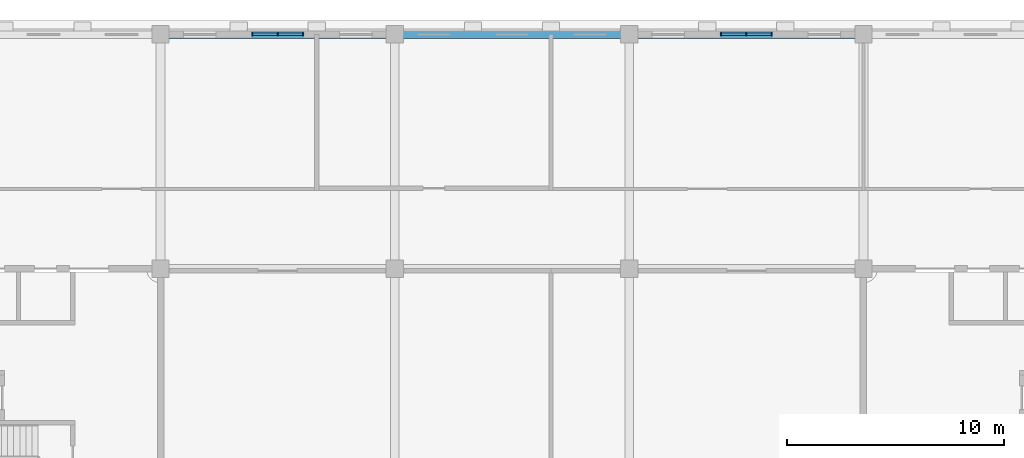
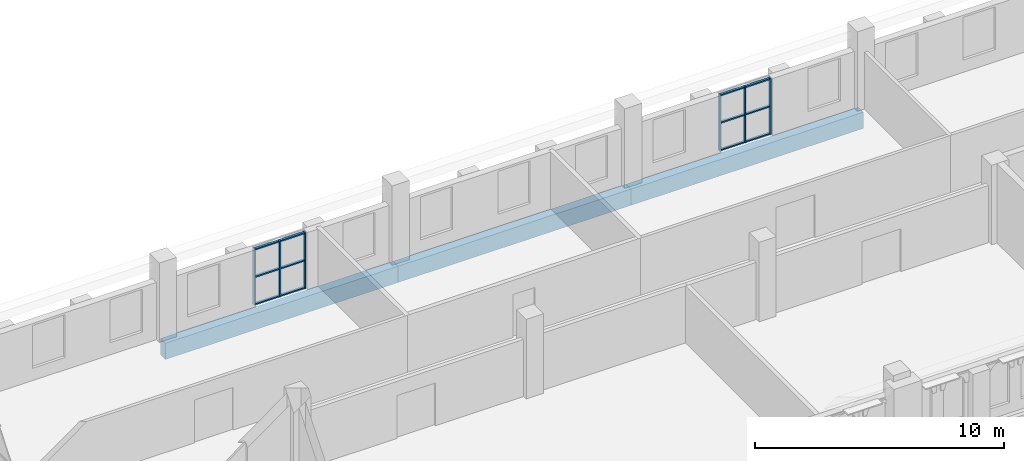
# One storey, part 24 of 56: 18 members, 3 beams, 2 elements without a shape of their own.
"""IFC4 building model written with IfcOpenShell, lengths in metres."""

from ifc_helpers import new_model, si_unit, direction, frame, origin, origin_2d, place, context, subcontext, project, spatial, rectangle, extrude, material, layer, layer_set, material_profile, profile_set, type_object, element, aggregate, save


model = new_model("IFC4")

# Units and contexts
model_context = context("Model", 3, precision=1e-05, world=origin(), true_north=direction((0.0, 1.0)))
body_context = subcontext(model_context, "Body", "Model", "MODEL_VIEW")
ifc_project = project(units=[si_unit("LENGTHUNIT", "METRE"), si_unit("AREAUNIT", "SQUARE_METRE"), si_unit("VOLUMEUNIT", "CUBIC_METRE"), si_unit("PLANEANGLEUNIT", "RADIAN"), si_unit("MASSUNIT", "GRAM", prefix="KILO")], contexts=[model_context])

# Site, building, storey
site_placement = place(None, origin())
site = spatial("IfcSite", under=ifc_project, at=site_placement, CompositionType="ELEMENT")
building_placement = place(site_placement, origin())
building = spatial("IfcBuilding", under=site, at=building_placement, Name="Magnolia Steps Interchange", CompositionType="ELEMENT")
storey_placement = place(building_placement, frame((0.0, 0.0, 8.699951171875)))
storey = spatial("IfcBuildingStorey", under=building, at=storey_placement, Name="L02", CompositionType="ELEMENT", Elevation=8.699951171875)

# Curtain wall, members
ifc_material_1 = material(Name="Powder-coated aluminium and glass", Category="aluminium")
ifc_layer = layer(ifc_material_1, 0.199951171875)
ifc_layer_set = layer_set([ifc_layer], Name="Glazed central bay curtain wall")
curtain_wall_type = type_object("IfcCurtainWallType", Name="Glazed central bay curtain wall", PredefinedType="NOTDEFINED", material=ifc_layer_set)
curtain_wall_1_placement = place(storey_placement, origin())
curtain_wall_1 = element("IfcCurtainWall", 1, at=curtain_wall_1_placement, inside=storey, type_object=curtain_wall_type, Name="Operations building north wall L02 glazing 2", PredefinedType="NOTDEFINED")
ifc_material_2 = material(Name="White powder-coated aluminium", Category="aluminium")
ifc_material_profile_1 = material_profile(ifc_material_2, rectangle(XDim=0.06005859375, YDim=0.14990234375, at=origin_2d()), Name="Aluminium mullion 60 x 150")
ifc_profile_set_1 = profile_set([ifc_material_profile_1], Name="White powder-coated aluminium")
member_type_1 = type_object("IfcMemberType", Name="Aluminium mullion 60 x 150", PredefinedType="MULLION", material=ifc_profile_set_1)
member_1_placement = place(storey_placement, frame((79.030029296875, 118.0, 0.0), z_axis=(0.0, 0.0, 1.0), x_axis=(1.0, 0.0, 0.0)))
member_1 = element("IfcMember", 2, at=member_1_placement, type_object=member_type_1, Name="CW2 mullion 1", PredefinedType="MULLION", context=body_context, shape_type="SweptSolid", body=[
    extrude(rectangle(XDim=0.06005859375, YDim=0.14990234375, at=origin_2d()), origin(), (0.0, 0.0, 1.0), 2.75),
])
member_2_placement = place(storey_placement, frame((80.199951171875, 118.0, 0.0), z_axis=(0.0, 0.0, 1.0), x_axis=(1.0, 0.0, 0.0)))
member_2 = element("IfcMember", 3, at=member_2_placement, type_object=member_type_1, Name="CW2 mullion 2", PredefinedType="MULLION", context=body_context, shape_type="SweptSolid", body=[
    extrude(rectangle(XDim=0.06005859375, YDim=0.14990234375, at=origin_2d()), origin(), (0.0, 0.0, 1.0), 2.75),
])
member_3_placement = place(storey_placement, frame((81.3701171875, 118.0, 0.0), z_axis=(0.0, 0.0, 1.0), x_axis=(1.0, 0.0, 0.0)))
member_3 = element("IfcMember", 4, at=member_3_placement, type_object=member_type_1, Name="CW2 mullion 3", PredefinedType="MULLION", context=body_context, shape_type="SweptSolid", body=[
    extrude(rectangle(XDim=0.06005859375, YDim=0.14990234375, at=origin_2d()), origin(), (0.0, 0.0, 1.0), 2.75),
])

curtain_wall_2_placement = place(storey_placement, origin())
curtain_wall_2 = element("IfcCurtainWall", 5, at=curtain_wall_2_placement, inside=storey, type_object=curtain_wall_type, Name="Operations building north wall L02 glazing 4", PredefinedType="NOTDEFINED")
member_4_placement = place(storey_placement, frame((100.6298828125, 118.0, 0.0), z_axis=(0.0, 0.0, 1.0), x_axis=(1.0, 0.0, 0.0)))
member_4 = element("IfcMember", 6, at=member_4_placement, type_object=member_type_1, Name="CW2 mullion 1", PredefinedType="MULLION", context=body_context, shape_type="SweptSolid", body=[
    extrude(rectangle(XDim=0.06005859375, YDim=0.14990234375, at=origin_2d()), origin(), (0.0, 0.0, 1.0), 2.75),
])
member_5_placement = place(storey_placement, frame((101.800048828125, 118.0, 0.0), z_axis=(0.0, 0.0, 1.0), x_axis=(1.0, 0.0, 0.0)))
member_5 = element("IfcMember", 7, at=member_5_placement, type_object=member_type_1, Name="CW2 mullion 2", PredefinedType="MULLION", context=body_context, shape_type="SweptSolid", body=[
    extrude(rectangle(XDim=0.06005859375, YDim=0.14990234375, at=origin_2d()), origin(), (0.0, 0.0, 1.0), 2.75),
])
member_6_placement = place(storey_placement, frame((102.969970703125, 118.0, 0.0), z_axis=(0.0, 0.0, 1.0), x_axis=(1.0, 0.0, 0.0)))
member_6 = element("IfcMember", 8, at=member_6_placement, type_object=member_type_1, Name="CW2 mullion 3", PredefinedType="MULLION", context=body_context, shape_type="SweptSolid", body=[
    extrude(rectangle(XDim=0.06005859375, YDim=0.14990234375, at=origin_2d()), origin(), (0.0, 0.0, 1.0), 2.75),
])

# Member
ifc_material_3 = material(Name="White powder-coated aluminium", Category="aluminium")
ifc_material_profile_2 = material_profile(ifc_material_3, rectangle(XDim=0.06005859375, YDim=0.1201171875, at=origin_2d()), Name="Aluminium transom 60 x 120")
ifc_profile_set_2 = profile_set([ifc_material_profile_2], Name="White powder-coated aluminium")
member_type_2 = type_object("IfcMemberType", Name="Aluminium transom 60 x 120", PredefinedType="USERDEFINED", material=ifc_profile_set_2)
member_7_placement = place(storey_placement, frame((79.06005859375, 118.0, 0.030029296875), z_axis=(1.0, 0.0, 0.0), x_axis=(0.0, 0.0, 1.0)))
member_7 = element("IfcMember", 9, at=member_7_placement, type_object=member_type_2, Name="CW2 transom 1.1", ObjectType="TRANSOM", PredefinedType="USERDEFINED", context=body_context, shape_type="SweptSolid", body=[
    extrude(rectangle(XDim=0.06005859375, YDim=0.1201171875, at=origin_2d()), origin(), (0.0, 0.0, 1.0), 1.10986328125),
])

member_8_placement = place(storey_placement, frame((79.06005859375, 118.0, 1.375), z_axis=(1.0, 0.0, 0.0), x_axis=(0.0, 0.0, 1.0)))
member_8 = element("IfcMember", 10, at=member_8_placement, type_object=member_type_2, Name="CW2 transom 1.2", ObjectType="TRANSOM", PredefinedType="USERDEFINED", context=body_context, shape_type="SweptSolid", body=[
    extrude(rectangle(XDim=0.06005859375, YDim=0.1201171875, at=origin_2d()), origin(), (0.0, 0.0, 1.0), 1.10986328125),
])

member_9_placement = place(storey_placement, frame((79.06005859375, 118.0, 2.719970703125), z_axis=(1.0, 0.0, 0.0), x_axis=(0.0, 0.0, 1.0)))
member_9 = element("IfcMember", 11, at=member_9_placement, type_object=member_type_2, Name="CW2 transom 1.3", ObjectType="TRANSOM", PredefinedType="USERDEFINED", context=body_context, shape_type="SweptSolid", body=[
    extrude(rectangle(XDim=0.06005859375, YDim=0.1201171875, at=origin_2d()), origin(), (0.0, 0.0, 1.0), 1.10986328125),
])

member_10_placement = place(storey_placement, frame((80.22998046875, 118.0, 0.030029296875), z_axis=(1.0, 0.0, 0.0), x_axis=(0.0, 0.0, 1.0)))
member_10 = element("IfcMember", 12, at=member_10_placement, type_object=member_type_2, Name="CW2 transom 2.1", ObjectType="TRANSOM", PredefinedType="USERDEFINED", context=body_context, shape_type="SweptSolid", body=[
    extrude(rectangle(XDim=0.06005859375, YDim=0.1201171875, at=origin_2d()), origin(), (0.0, 0.0, 1.0), 1.110107421875),
])

member_11_placement = place(storey_placement, frame((80.22998046875, 118.0, 1.375), z_axis=(1.0, 0.0, 0.0), x_axis=(0.0, 0.0, 1.0)))
member_11 = element("IfcMember", 13, at=member_11_placement, type_object=member_type_2, Name="CW2 transom 2.2", ObjectType="TRANSOM", PredefinedType="USERDEFINED", context=body_context, shape_type="SweptSolid", body=[
    extrude(rectangle(XDim=0.06005859375, YDim=0.1201171875, at=origin_2d()), origin(), (0.0, 0.0, 1.0), 1.110107421875),
])

member_12_placement = place(storey_placement, frame((80.22998046875, 118.0, 2.719970703125), z_axis=(1.0, 0.0, 0.0), x_axis=(0.0, 0.0, 1.0)))
member_12 = element("IfcMember", 14, at=member_12_placement, type_object=member_type_2, Name="CW2 transom 2.3", ObjectType="TRANSOM", PredefinedType="USERDEFINED", context=body_context, shape_type="SweptSolid", body=[
    extrude(rectangle(XDim=0.06005859375, YDim=0.1201171875, at=origin_2d()), origin(), (0.0, 0.0, 1.0), 1.110107421875),
])

aggregate(curtain_wall_1, [member_1, member_2, member_3, member_7, member_8, member_9, member_10, member_11, member_12])

member_13_placement = place(storey_placement, frame((100.659912109375, 118.0, 0.030029296875), z_axis=(1.0, 0.0, 0.0), x_axis=(0.0, 0.0, 1.0)))
member_13 = element("IfcMember", 15, at=member_13_placement, type_object=member_type_2, Name="CW2 transom 1.1", ObjectType="TRANSOM", PredefinedType="USERDEFINED", context=body_context, shape_type="SweptSolid", body=[
    extrude(rectangle(XDim=0.06005859375, YDim=0.1201171875, at=origin_2d()), origin(), (0.0, 0.0, 1.0), 1.110107421875),
])

member_14_placement = place(storey_placement, frame((100.659912109375, 118.0, 1.375), z_axis=(1.0, 0.0, 0.0), x_axis=(0.0, 0.0, 1.0)))
member_14 = element("IfcMember", 16, at=member_14_placement, type_object=member_type_2, Name="CW2 transom 1.2", ObjectType="TRANSOM", PredefinedType="USERDEFINED", context=body_context, shape_type="SweptSolid", body=[
    extrude(rectangle(XDim=0.06005859375, YDim=0.1201171875, at=origin_2d()), origin(), (0.0, 0.0, 1.0), 1.110107421875),
])

member_15_placement = place(storey_placement, frame((100.659912109375, 118.0, 2.719970703125), z_axis=(1.0, 0.0, 0.0), x_axis=(0.0, 0.0, 1.0)))
member_15 = element("IfcMember", 17, at=member_15_placement, type_object=member_type_2, Name="CW2 transom 1.3", ObjectType="TRANSOM", PredefinedType="USERDEFINED", context=body_context, shape_type="SweptSolid", body=[
    extrude(rectangle(XDim=0.06005859375, YDim=0.1201171875, at=origin_2d()), origin(), (0.0, 0.0, 1.0), 1.110107421875),
])

member_16_placement = place(storey_placement, frame((101.830078125, 118.0, 0.030029296875), z_axis=(1.0, 0.0, 0.0), x_axis=(0.0, 0.0, 1.0)))
member_16 = element("IfcMember", 18, at=member_16_placement, type_object=member_type_2, Name="CW2 transom 2.1", ObjectType="TRANSOM", PredefinedType="USERDEFINED", context=body_context, shape_type="SweptSolid", body=[
    extrude(rectangle(XDim=0.06005859375, YDim=0.1201171875, at=origin_2d()), origin(), (0.0, 0.0, 1.0), 1.10986328125),
])

member_17_placement = place(storey_placement, frame((101.830078125, 118.0, 1.375), z_axis=(1.0, 0.0, 0.0), x_axis=(0.0, 0.0, 1.0)))
member_17 = element("IfcMember", 19, at=member_17_placement, type_object=member_type_2, Name="CW2 transom 2.2", ObjectType="TRANSOM", PredefinedType="USERDEFINED", context=body_context, shape_type="SweptSolid", body=[
    extrude(rectangle(XDim=0.06005859375, YDim=0.1201171875, at=origin_2d()), origin(), (0.0, 0.0, 1.0), 1.10986328125),
])

member_18_placement = place(storey_placement, frame((101.830078125, 118.0, 2.719970703125), z_axis=(1.0, 0.0, 0.0), x_axis=(0.0, 0.0, 1.0)))
member_18 = element("IfcMember", 20, at=member_18_placement, type_object=member_type_2, Name="CW2 transom 2.3", ObjectType="TRANSOM", PredefinedType="USERDEFINED", context=body_context, shape_type="SweptSolid", body=[
    extrude(rectangle(XDim=0.06005859375, YDim=0.1201171875, at=origin_2d()), origin(), (0.0, 0.0, 1.0), 1.10986328125),
])

aggregate(curtain_wall_2, [member_4, member_5, member_6, member_13, member_14, member_15, member_16, member_17, member_18])

# Beams
ifc_material_4 = material(Name="Concrete C40", Category="concrete")
ifc_material_profile_3 = material_profile(ifc_material_4, rectangle(XDim=0.39990234375, YDim=0.800048828125, at=origin_2d()), Name="RC400x800")
ifc_profile_set_3 = profile_set([ifc_material_profile_3], Name="Concrete C40")
beam_type = type_object("IfcBeamType", Name="RC beam 400x800", PredefinedType="BEAM", material=ifc_profile_set_3)
beam_1_placement = place(storey_placement, frame((74.800048828125, 118.0, -0.699951171875), z_axis=(1.0, 0.0, 0.0), x_axis=(0.0, 1.0, 0.0)))
element("IfcBeam", 21, at=beam_1_placement, inside=storey, type_object=beam_type, Name="Beam L02 K 7-8", PredefinedType="BEAM", context=body_context, shape_type="SweptSolid", body=[
    extrude(rectangle(XDim=0.39990234375, YDim=0.800048828125, at=origin_2d()), origin(), (0.0, 0.0, 1.0), 10.800048828125),
])
beam_2_placement = place(storey_placement, frame((85.60009765625, 118.0, -0.699951171875), z_axis=(1.0, 0.0, 0.0), x_axis=(0.0, 1.0, 0.0)))
element("IfcBeam", 22, at=beam_2_placement, inside=storey, type_object=beam_type, Name="Beam L02 K 8-9", PredefinedType="BEAM", context=body_context, shape_type="SweptSolid", body=[
    extrude(rectangle(XDim=0.39990234375, YDim=0.800048828125, at=origin_2d()), origin(), (0.0, 0.0, 1.0), 10.7998046875),
])
beam_3_placement = place(storey_placement, frame((96.39990234375, 118.0, -0.699951171875), z_axis=(1.0, 0.0, 0.0), x_axis=(0.0, 1.0, 0.0)))
element("IfcBeam", 23, at=beam_3_placement, inside=storey, type_object=beam_type, Name="Beam L02 K 9-10", PredefinedType="BEAM", context=body_context, shape_type="SweptSolid", body=[
    extrude(rectangle(XDim=0.39990234375, YDim=0.800048828125, at=origin_2d()), origin(), (0.0, 0.0, 1.0), 10.800048828125),
])

save(model, "model.ifc")
